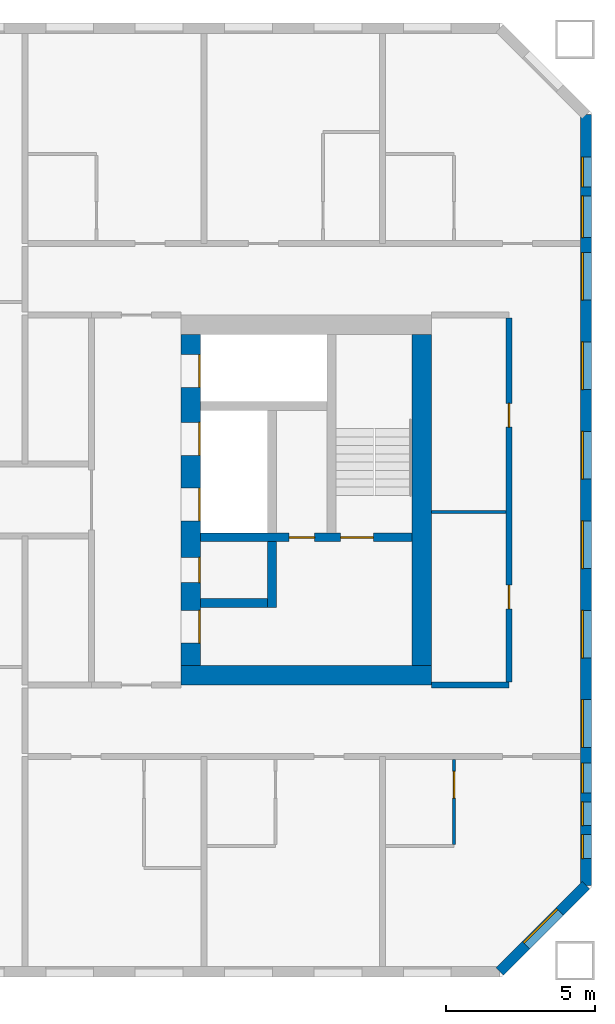
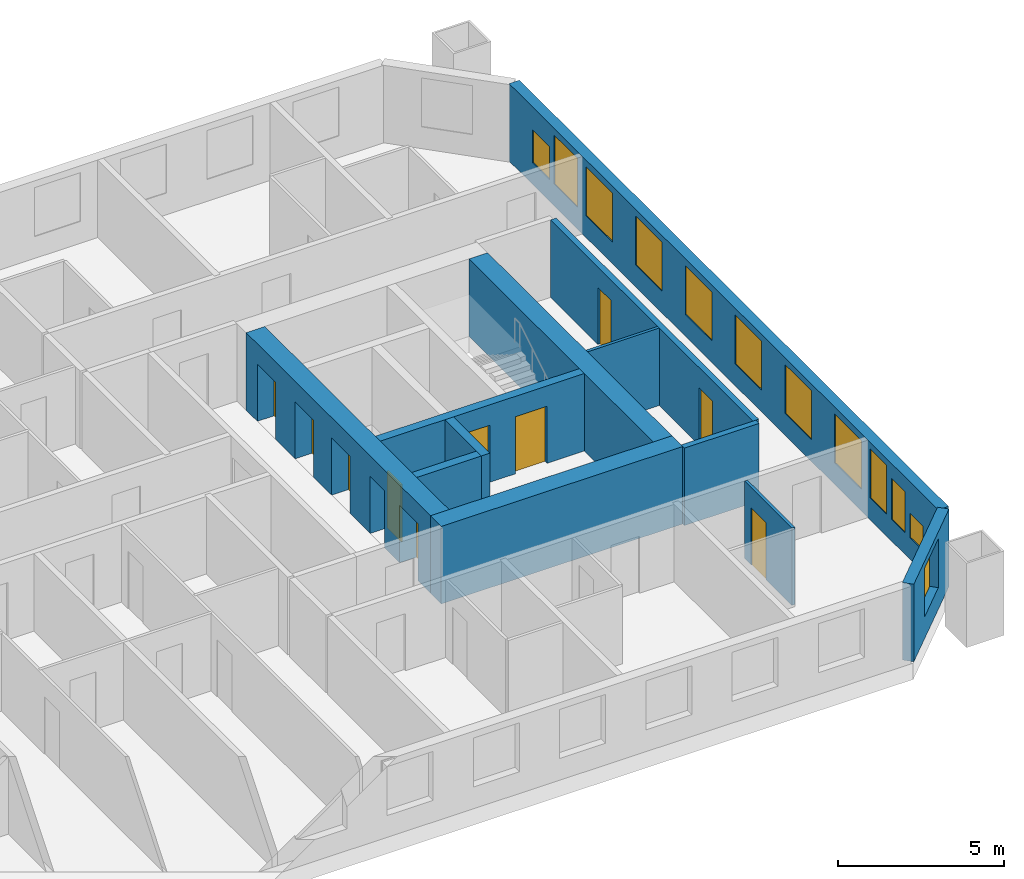
# One storey, part 13 of 16: 12 walls, 12 windows, 10 doors, 22 openings.
"""IFC4 building model written with IfcOpenShell, lengths in metres."""

from ifc_helpers import new_model, si_unit, direction, frame, frame_2d, origin, place, context, subcontext, project, spatial, rectangle, extrude, material, layer, layer_set, type_object, element, fill, save


model = new_model("IFC4")

# Units and contexts
model_context = context("Model", 3, precision=1e-05, world=origin(), true_north=direction((0.0, 1.0)))
body_context = subcontext(model_context, "Body", "Model", "MODEL_VIEW")
ifc_project = project(units=[si_unit("LENGTHUNIT", "METRE"), si_unit("AREAUNIT", "SQUARE_METRE"), si_unit("VOLUMEUNIT", "CUBIC_METRE"), si_unit("PLANEANGLEUNIT", "RADIAN"), si_unit("MASSUNIT", "GRAM", prefix="KILO")], contexts=[model_context])

# Site, building, storey
site_placement = place(None, origin())
site = spatial("IfcSite", under=ifc_project, at=site_placement, CompositionType="ELEMENT")
building_placement = place(site_placement, origin())
building = spatial("IfcBuilding", under=site, at=building_placement, Name="Tuart Gate Housing", CompositionType="ELEMENT")
storey_placement = place(building_placement, frame((0.0, 0.0, 96.39990234375)))
storey = spatial("IfcBuildingStorey", under=building, at=storey_placement, Name="L26", CompositionType="ELEMENT", Elevation=96.39990234375)

# Wall, opening, window
ifc_material_1 = material(Name="Brick", Category="masonry")
ifc_layer_1 = layer(ifc_material_1, 0.360107421875)
ifc_layer_set_1 = layer_set([ifc_layer_1], Name="Brick pier and spandrel wall 360")
wall_type_1 = type_object("IfcWallType", Name="Brick pier and spandrel wall 360", PredefinedType="STANDARD", material=ifc_layer_set_1)
wall_1_placement = place(storey_placement, frame((170.92529296875, 54.179931640625, 0.0), z_axis=(0.0, 0.0, 1.0), x_axis=(0.707106781187, 0.707106781187, 0.0)))
wall_1 = element("IfcWall", 1, at=wall_1_placement, inside=storey, type_object=wall_type_1, Name="External wall B-SE L26", PredefinedType="STANDARD", context=body_context, shape_type="SweptSolid", body=[
    extrude(rectangle(XDim=4.09375, YDim=0.360107421875, at=frame_2d((2.046875, 0.0))), origin(), (0.0, 0.0, 1.0), 2.85009765625),
])
opening_1_placement = place(wall_1_placement, frame((1.2470703125, 0.0, 0.800048828125)))
opening_1 = element("IfcOpeningElement", 2, at=opening_1_placement, cuts=wall_1, Name="Opening W1", PredefinedType="OPENING", context=body_context, shape_type="SweptSolid", body=[
    extrude(rectangle(XDim=1.60009765625, YDim=1.800048828125, at=frame_2d((0.800048828125, 0.89990234375))), frame((0.0, 0.18994140625, 0.0), z_axis=(0.0, -1.0, 0.0), x_axis=(1.0, 0.0, 0.0)), (0.0, 0.0, 1.0), 0.380126953125),
])
ifc_material_2 = material(Name="Aluminium frame with clear glass", Category="aluminium")
window_type_1 = type_object("IfcWindowType", Name="Punched window 1600 x 1800", PartitioningType="SINGLE_PANEL", PredefinedType="WINDOW", material=ifc_material_2)
window_1_placement = place(opening_1_placement, origin())
window_1 = element("IfcWindow", 3, at=window_1_placement, inside=storey, type_object=window_type_1, Name="Window W1", OverallHeight=1.800048828125, OverallWidth=1.60009765625, PartitioningType="SINGLE_PANEL", PredefinedType="WINDOW", context=body_context, shape_type="SweptSolid", body=[
    extrude(rectangle(XDim=1.60009765625, YDim=1.800048828125, at=frame_2d((0.800048828125, 0.89990234375))), frame((0.0, 0.150146484375, 0.0), z_axis=(0.0, -1.0, 0.0), x_axis=(1.0, 0.0, 0.0)), (0.0, 0.0, 1.0), 0.06005859375),
])
fill(opening_1, window_1)

# Wall, openings, windows
wall_2_placement = place(storey_placement, frame((173.820068359375, 57.07470703125, 0.0), z_axis=(0.0, 0.0, 1.0), x_axis=(0.0, 1.0, 0.0)))
wall_2 = element("IfcWall", 4, at=wall_2_placement, inside=storey, type_object=wall_type_1, Name="External wall B-E L26", PredefinedType="STANDARD", context=body_context, shape_type="SweptSolid", body=[
    extrude(rectangle(XDim=25.850830078125, YDim=0.360107421875, at=frame_2d((12.92529296875, 0.0))), origin(), (0.0, 0.0, 1.0), 2.85009765625),
])
opening_2_placement = place(wall_2_placement, frame((0.89990234375, 0.0, 0.800048828125)))
opening_2 = element("IfcOpeningElement", 5, at=opening_2_placement, cuts=wall_2, Name="Opening W1V", PredefinedType="OPENING", context=body_context, shape_type="SweptSolid", body=[
    extrude(rectangle(XDim=0.800048828125, YDim=0.89990234375, at=frame_2d((0.39990234375, 0.449951171875))), frame((0.0, 0.18994140625, 0.0), z_axis=(0.0, -1.0, 0.0), x_axis=(1.0, 0.0, 0.0)), (0.0, 0.0, 1.0), 0.380126953125),
])
opening_3_placement = place(wall_2_placement, frame((4.62548828125, 0.0, 0.800048828125)))
opening_3 = element("IfcOpeningElement", 6, at=opening_3_placement, cuts=wall_2, Name="Opening W1", PredefinedType="OPENING", context=body_context, shape_type="SweptSolid", body=[
    extrude(rectangle(XDim=1.60009765625, YDim=1.800048828125, at=frame_2d((0.800048828125, 0.89990234375))), frame((0.0, 0.18994140625, 0.0), z_axis=(0.0, -1.0, 0.0), x_axis=(1.0, 0.0, 0.0)), (0.0, 0.0, 1.0), 0.380126953125),
])
opening_4_placement = place(wall_2_placement, frame((7.62548828125, 0.0, 0.800048828125)))
opening_4 = element("IfcOpeningElement", 7, at=opening_4_placement, cuts=wall_2, Name="Opening W1", PredefinedType="OPENING", context=body_context, shape_type="SweptSolid", body=[
    extrude(rectangle(XDim=1.60009765625, YDim=1.800048828125, at=frame_2d((0.800048828125, 0.89990234375))), frame((0.0, 0.18994140625, 0.0), z_axis=(0.0, -1.0, 0.0), x_axis=(1.0, 0.0, 0.0)), (0.0, 0.0, 1.0), 0.380126953125),
])
opening_5_placement = place(wall_2_placement, frame((10.62548828125, 0.0, 0.800048828125)))
opening_5 = element("IfcOpeningElement", 8, at=opening_5_placement, cuts=wall_2, Name="Opening W1", PredefinedType="OPENING", context=body_context, shape_type="SweptSolid", body=[
    extrude(rectangle(XDim=1.60009765625, YDim=1.800048828125, at=frame_2d((0.800048828125, 0.89990234375))), frame((0.0, 0.18994140625, 0.0), z_axis=(0.0, -1.0, 0.0), x_axis=(1.0, 0.0, 0.0)), (0.0, 0.0, 1.0), 0.380126953125),
])
opening_6_placement = place(wall_2_placement, frame((13.62548828125, 0.0, 0.800048828125)))
opening_6 = element("IfcOpeningElement", 9, at=opening_6_placement, cuts=wall_2, Name="Opening W1", PredefinedType="OPENING", context=body_context, shape_type="SweptSolid", body=[
    extrude(rectangle(XDim=1.60009765625, YDim=1.800048828125, at=frame_2d((0.800048828125, 0.89990234375))), frame((0.0, 0.18994140625, 0.0), z_axis=(0.0, -1.0, 0.0), x_axis=(1.0, 0.0, 0.0)), (0.0, 0.0, 1.0), 0.380126953125),
])
opening_7_placement = place(wall_2_placement, frame((16.62548828125, 0.0, 0.800048828125)))
opening_7 = element("IfcOpeningElement", 10, at=opening_7_placement, cuts=wall_2, Name="Opening W1", PredefinedType="OPENING", context=body_context, shape_type="SweptSolid", body=[
    extrude(rectangle(XDim=1.60009765625, YDim=1.800048828125, at=frame_2d((0.800048828125, 0.89990234375))), frame((0.0, 0.18994140625, 0.0), z_axis=(0.0, -1.0, 0.0), x_axis=(1.0, 0.0, 0.0)), (0.0, 0.0, 1.0), 0.380126953125),
])
opening_8_placement = place(wall_2_placement, frame((19.62548828125, 0.0, 0.800048828125)))
opening_8 = element("IfcOpeningElement", 11, at=opening_8_placement, cuts=wall_2, Name="Opening W1", PredefinedType="OPENING", context=body_context, shape_type="SweptSolid", body=[
    extrude(rectangle(XDim=1.60009765625, YDim=1.800048828125, at=frame_2d((0.800048828125, 0.89990234375))), frame((0.0, 0.18994140625, 0.0), z_axis=(0.0, -1.0, 0.0), x_axis=(1.0, 0.0, 0.0)), (0.0, 0.0, 1.0), 0.380126953125),
])
opening_9_placement = place(wall_2_placement, frame((21.725341796875, 0.0, 0.800048828125)))
opening_9 = element("IfcOpeningElement", 12, at=opening_9_placement, cuts=wall_2, Name="Opening W1A", PredefinedType="OPENING", context=body_context, shape_type="SweptSolid", body=[
    extrude(rectangle(XDim=1.39990234375, YDim=1.800048828125, at=frame_2d((0.699951171875, 0.89990234375))), frame((0.0, 0.18994140625, 0.0), z_axis=(0.0, -1.0, 0.0), x_axis=(1.0, 0.0, 0.0)), (0.0, 0.0, 1.0), 0.380126953125),
])
opening_10_placement = place(wall_2_placement, frame((2.0, 0.0, 0.800048828125)))
opening_10 = element("IfcOpeningElement", 13, at=opening_10_placement, cuts=wall_2, Name="Opening W1J", PredefinedType="OPENING", context=body_context, shape_type="SweptSolid", body=[
    extrude(rectangle(XDim=0.800048828125, YDim=1.5, at=frame_2d((0.39990234375, 0.75))), frame((0.0, 0.18994140625, 0.0), z_axis=(0.0, -1.0, 0.0), x_axis=(1.0, 0.0, 0.0)), (0.0, 0.0, 1.0), 0.380126953125),
])
opening_11_placement = place(wall_2_placement, frame((3.10009765625, 0.0, 0.800048828125)))
opening_11 = element("IfcOpeningElement", 14, at=opening_11_placement, cuts=wall_2, Name="Opening W1C", PredefinedType="OPENING", context=body_context, shape_type="SweptSolid", body=[
    extrude(rectangle(XDim=1.0, YDim=1.800048828125, at=frame_2d((0.5, 0.89990234375))), frame((0.0, 0.18994140625, 0.0), z_axis=(0.0, -1.0, 0.0), x_axis=(1.0, 0.0, 0.0)), (0.0, 0.0, 1.0), 0.380126953125),
])
opening_12_placement = place(wall_2_placement, frame((23.42529296875, 0.0, 0.800048828125)))
opening_12 = element("IfcOpeningElement", 15, at=opening_12_placement, cuts=wall_2, Name="Opening W1O", PredefinedType="OPENING", context=body_context, shape_type="SweptSolid", body=[
    extrude(rectangle(XDim=1.0, YDim=1.199951171875, at=frame_2d((0.5, 0.60009765625))), frame((0.0, 0.18994140625, 0.0), z_axis=(0.0, -1.0, 0.0), x_axis=(1.0, 0.0, 0.0)), (0.0, 0.0, 1.0), 0.380126953125),
])
ifc_material_3 = material(Name="Aluminium frame with clear glass", Category="aluminium")
window_type_2 = type_object("IfcWindowType", Name="Punched window 1000 x 1200", PartitioningType="SINGLE_PANEL", PredefinedType="WINDOW", material=ifc_material_3)
window_2_placement = place(opening_12_placement, origin())
window_2 = element("IfcWindow", 16, at=window_2_placement, inside=storey, type_object=window_type_2, Name="Window W1O", OverallHeight=1.199951171875, OverallWidth=1.0, PartitioningType="SINGLE_PANEL", PredefinedType="WINDOW", context=body_context, shape_type="SweptSolid", body=[
    extrude(rectangle(XDim=1.0, YDim=1.199951171875, at=frame_2d((0.5, 0.60009765625))), frame((0.0, 0.150146484375, 0.0), z_axis=(0.0, -1.0, 0.0), x_axis=(1.0, 0.0, 0.0)), (0.0, 0.0, 1.0), 0.06005859375),
])
fill(opening_12, window_2)
ifc_material_4 = material(Name="Aluminium frame with clear glass", Category="aluminium")
window_type_3 = type_object("IfcWindowType", Name="Punched window 1000 x 1800", PartitioningType="SINGLE_PANEL", PredefinedType="WINDOW", material=ifc_material_4)
window_3_placement = place(opening_11_placement, origin())
window_3 = element("IfcWindow", 17, at=window_3_placement, inside=storey, type_object=window_type_3, Name="Window W1C", OverallHeight=1.800048828125, OverallWidth=1.0, PartitioningType="SINGLE_PANEL", PredefinedType="WINDOW", context=body_context, shape_type="SweptSolid", body=[
    extrude(rectangle(XDim=1.0, YDim=1.800048828125, at=frame_2d((0.5, 0.89990234375))), frame((0.0, 0.150146484375, 0.0), z_axis=(0.0, -1.0, 0.0), x_axis=(1.0, 0.0, 0.0)), (0.0, 0.0, 1.0), 0.06005859375),
])
fill(opening_11, window_3)
ifc_material_5 = material(Name="Aluminium frame with clear glass", Category="aluminium")
window_type_4 = type_object("IfcWindowType", Name="Punched window 1400 x 1800", PartitioningType="SINGLE_PANEL", PredefinedType="WINDOW", material=ifc_material_5)
window_4_placement = place(opening_9_placement, origin())
window_4 = element("IfcWindow", 18, at=window_4_placement, inside=storey, type_object=window_type_4, Name="Window W1A", OverallHeight=1.800048828125, OverallWidth=1.39990234375, PartitioningType="SINGLE_PANEL", PredefinedType="WINDOW", context=body_context, shape_type="SweptSolid", body=[
    extrude(rectangle(XDim=1.39990234375, YDim=1.800048828125, at=frame_2d((0.699951171875, 0.89990234375))), frame((0.0, 0.150146484375, 0.0), z_axis=(0.0, -1.0, 0.0), x_axis=(1.0, 0.0, 0.0)), (0.0, 0.0, 1.0), 0.06005859375),
])
fill(opening_9, window_4)
window_5_placement = place(opening_3_placement, origin())
window_5 = element("IfcWindow", 19, at=window_5_placement, inside=storey, type_object=window_type_1, Name="Window W1", OverallHeight=1.800048828125, OverallWidth=1.60009765625, PartitioningType="SINGLE_PANEL", PredefinedType="WINDOW", context=body_context, shape_type="SweptSolid", body=[
    extrude(rectangle(XDim=1.60009765625, YDim=1.800048828125, at=frame_2d((0.800048828125, 0.89990234375))), frame((0.0, 0.150146484375, 0.0), z_axis=(0.0, -1.0, 0.0), x_axis=(1.0, 0.0, 0.0)), (0.0, 0.0, 1.0), 0.06005859375),
])
fill(opening_3, window_5)
window_6_placement = place(opening_4_placement, origin())
window_6 = element("IfcWindow", 20, at=window_6_placement, inside=storey, type_object=window_type_1, Name="Window W1", OverallHeight=1.800048828125, OverallWidth=1.60009765625, PartitioningType="SINGLE_PANEL", PredefinedType="WINDOW", context=body_context, shape_type="SweptSolid", body=[
    extrude(rectangle(XDim=1.60009765625, YDim=1.800048828125, at=frame_2d((0.800048828125, 0.89990234375))), frame((0.0, 0.150146484375, 0.0), z_axis=(0.0, -1.0, 0.0), x_axis=(1.0, 0.0, 0.0)), (0.0, 0.0, 1.0), 0.06005859375),
])
fill(opening_4, window_6)
window_7_placement = place(opening_5_placement, origin())
window_7 = element("IfcWindow", 21, at=window_7_placement, inside=storey, type_object=window_type_1, Name="Window W1", OverallHeight=1.800048828125, OverallWidth=1.60009765625, PartitioningType="SINGLE_PANEL", PredefinedType="WINDOW", context=body_context, shape_type="SweptSolid", body=[
    extrude(rectangle(XDim=1.60009765625, YDim=1.800048828125, at=frame_2d((0.800048828125, 0.89990234375))), frame((0.0, 0.150146484375, 0.0), z_axis=(0.0, -1.0, 0.0), x_axis=(1.0, 0.0, 0.0)), (0.0, 0.0, 1.0), 0.06005859375),
])
fill(opening_5, window_7)
window_8_placement = place(opening_6_placement, origin())
window_8 = element("IfcWindow", 22, at=window_8_placement, inside=storey, type_object=window_type_1, Name="Window W1", OverallHeight=1.800048828125, OverallWidth=1.60009765625, PartitioningType="SINGLE_PANEL", PredefinedType="WINDOW", context=body_context, shape_type="SweptSolid", body=[
    extrude(rectangle(XDim=1.60009765625, YDim=1.800048828125, at=frame_2d((0.800048828125, 0.89990234375))), frame((0.0, 0.150146484375, 0.0), z_axis=(0.0, -1.0, 0.0), x_axis=(1.0, 0.0, 0.0)), (0.0, 0.0, 1.0), 0.06005859375),
])
fill(opening_6, window_8)
window_9_placement = place(opening_7_placement, origin())
window_9 = element("IfcWindow", 23, at=window_9_placement, inside=storey, type_object=window_type_1, Name="Window W1", OverallHeight=1.800048828125, OverallWidth=1.60009765625, PartitioningType="SINGLE_PANEL", PredefinedType="WINDOW", context=body_context, shape_type="SweptSolid", body=[
    extrude(rectangle(XDim=1.60009765625, YDim=1.800048828125, at=frame_2d((0.800048828125, 0.89990234375))), frame((0.0, 0.150146484375, 0.0), z_axis=(0.0, -1.0, 0.0), x_axis=(1.0, 0.0, 0.0)), (0.0, 0.0, 1.0), 0.06005859375),
])
fill(opening_7, window_9)
window_10_placement = place(opening_8_placement, origin())
window_10 = element("IfcWindow", 24, at=window_10_placement, inside=storey, type_object=window_type_1, Name="Window W1", OverallHeight=1.800048828125, OverallWidth=1.60009765625, PartitioningType="SINGLE_PANEL", PredefinedType="WINDOW", context=body_context, shape_type="SweptSolid", body=[
    extrude(rectangle(XDim=1.60009765625, YDim=1.800048828125, at=frame_2d((0.800048828125, 0.89990234375))), frame((0.0, 0.150146484375, 0.0), z_axis=(0.0, -1.0, 0.0), x_axis=(1.0, 0.0, 0.0)), (0.0, 0.0, 1.0), 0.06005859375),
])
fill(opening_8, window_10)
ifc_material_6 = material(Name="Aluminium frame with clear glass", Category="aluminium")
window_type_5 = type_object("IfcWindowType", Name="Punched window 800 x 1500", PartitioningType="SINGLE_PANEL", PredefinedType="WINDOW", material=ifc_material_6)
window_11_placement = place(opening_10_placement, origin())
window_11 = element("IfcWindow", 25, at=window_11_placement, inside=storey, type_object=window_type_5, Name="Window W1J", OverallHeight=1.5, OverallWidth=0.800048828125, PartitioningType="SINGLE_PANEL", PredefinedType="WINDOW", context=body_context, shape_type="SweptSolid", body=[
    extrude(rectangle(XDim=0.800048828125, YDim=1.5, at=frame_2d((0.39990234375, 0.75))), frame((0.0, 0.150146484375, 0.0), z_axis=(0.0, -1.0, 0.0), x_axis=(1.0, 0.0, 0.0)), (0.0, 0.0, 1.0), 0.06005859375),
])
fill(opening_10, window_11)
ifc_material_7 = material(Name="Aluminium frame with clear glass", Category="aluminium")
window_type_6 = type_object("IfcWindowType", Name="Punched window 800 x 900", PartitioningType="SINGLE_PANEL", PredefinedType="WINDOW", material=ifc_material_7)
window_12_placement = place(opening_2_placement, origin())
window_12 = element("IfcWindow", 26, at=window_12_placement, inside=storey, type_object=window_type_6, Name="Window W1V", OverallHeight=0.89990234375, OverallWidth=0.800048828125, PartitioningType="SINGLE_PANEL", PredefinedType="WINDOW", context=body_context, shape_type="SweptSolid", body=[
    extrude(rectangle(XDim=0.800048828125, YDim=0.89990234375, at=frame_2d((0.39990234375, 0.449951171875))), frame((0.0, 0.150146484375, 0.0), z_axis=(0.0, -1.0, 0.0), x_axis=(1.0, 0.0, 0.0)), (0.0, 0.0, 1.0), 0.06005859375),
])
fill(opening_2, window_12)

# Wall, openings, doors
ifc_material_8 = material(Name="Concrete C50", Category="concrete")
ifc_layer_2 = layer(ifc_material_8, 0.300048828125)
ifc_layer_set_2 = layer_set([ifc_layer_2], Name="Core wall 300 C50")
wall_type_2 = type_object("IfcWallType", Name="Core wall 300 C50", PredefinedType="SHEAR", material=ifc_layer_set_2)
wall_3_placement = place(storey_placement, frame((160.889892578125, 68.75, 0.0), z_axis=(0.0, 0.0, 1.0), x_axis=(1.0, 0.0, 0.0)))
wall_3 = element("IfcWall", 27, at=wall_3_placement, inside=storey, type_object=wall_type_2, Name="Core wall BK.2", PredefinedType="SHEAR", context=body_context, shape_type="SweptSolid", body=[
    extrude(rectangle(XDim=7.10009765625, YDim=0.300048828125, at=frame_2d((3.550048828125, 0.0))), origin(), (0.0, 0.0, 1.0), 2.85009765625),
])
opening_13_placement = place(wall_3_placement, frame((4.699951171875, 0.0, 0.0)))
opening_13 = element("IfcOpeningElement", 28, at=opening_13_placement, cuts=wall_3, Name="Opening D1159", PredefinedType="OPENING", context=body_context, shape_type="SweptSolid", body=[
    extrude(rectangle(XDim=1.10009765625, YDim=2.10009765625, at=frame_2d((0.550048828125, 1.050048828125))), frame((0.0, 0.159912109375, 0.0), z_axis=(0.0, -1.0, 0.0), x_axis=(1.0, 0.0, 0.0)), (0.0, 0.0, 1.0), 0.320068359375),
])
opening_14_placement = place(wall_3_placement, frame((2.97509765625, 0.0, 0.0)))
opening_14 = element("IfcOpeningElement", 29, at=opening_14_placement, cuts=wall_3, Name="Opening D1158", PredefinedType="OPENING", context=body_context, shape_type="SweptSolid", body=[
    extrude(rectangle(XDim=0.85009765625, YDim=2.10009765625, at=frame_2d((0.425048828125, 1.050048828125))), frame((0.0, 0.159912109375, 0.0), z_axis=(0.0, -1.0, 0.0), x_axis=(1.0, 0.0, 0.0)), (0.0, 0.0, 1.0), 0.320068359375),
])
ifc_material_9 = material(Name="Steel fire door", Category="steel")
door_type_1 = type_object("IfcDoorType", Name="Riser door 850 x 2100", OperationType="SINGLE_SWING_LEFT", PredefinedType="DOOR", material=ifc_material_9)
door_1_placement = place(opening_14_placement, origin())
door_1 = element("IfcDoor", 30, at=door_1_placement, inside=storey, type_object=door_type_1, Name="Service room door BK.W1", OperationType="SINGLE_SWING_LEFT", OverallHeight=2.10009765625, OverallWidth=0.85009765625, PredefinedType="DOOR", context=body_context, shape_type="SweptSolid", body=[
    extrude(rectangle(XDim=0.85009765625, YDim=2.10009765625, at=frame_2d((0.425048828125, 1.050048828125))), frame((0.0, 0.02490234375, 0.0), z_axis=(0.0, -1.0, 0.0), x_axis=(1.0, 0.0, 0.0)), (0.0, 0.0, 1.0), 0.050048828125),
])
fill(opening_14, door_1)
ifc_material_10 = material(Name="Steel fire door", Category="steel")
door_type_2 = type_object("IfcDoorType", Name="Stair door 1100 x 2100", OperationType="SINGLE_SWING_LEFT", PredefinedType="DOOR", material=ifc_material_10)
door_2_placement = place(opening_13_placement, origin())
door_2 = element("IfcDoor", 31, at=door_2_placement, inside=storey, type_object=door_type_2, Name="Stair door BK.SD", OperationType="SINGLE_SWING_LEFT", OverallHeight=2.10009765625, OverallWidth=1.10009765625, PredefinedType="DOOR", context=body_context, shape_type="SweptSolid", body=[
    extrude(rectangle(XDim=1.10009765625, YDim=2.10009765625, at=frame_2d((0.550048828125, 1.050048828125))), frame((0.0, 0.02490234375, 0.0), z_axis=(0.0, -1.0, 0.0), x_axis=(1.0, 0.0, 0.0)), (0.0, 0.0, 1.0), 0.050048828125),
])
fill(opening_13, door_2)

# Walls
wall_4_placement = place(storey_placement, frame((160.889892578125, 66.550048828125, 0.0), z_axis=(0.0, 0.0, 1.0), x_axis=(1.0, 0.0, 0.0)))
element("IfcWall", 32, at=wall_4_placement, inside=storey, type_object=wall_type_2, Name="Core wall BK.3", PredefinedType="SHEAR", context=body_context, shape_type="SweptSolid", body=[
    extrude(rectangle(XDim=2.25, YDim=0.300048828125, at=frame_2d((1.125, 0.0))), origin(), (0.0, 0.0, 1.0), 2.85009765625),
])
wall_5_placement = place(storey_placement, frame((163.2900390625, 68.60009765625, 0.0), z_axis=(0.0, 0.0, 1.0), x_axis=(0.0, -1.0, 0.0)))
element("IfcWall", 33, at=wall_5_placement, inside=storey, type_object=wall_type_2, Name="Core wall BK.5", PredefinedType="SHEAR", context=body_context, shape_type="SweptSolid", body=[
    extrude(rectangle(XDim=2.2001953125, YDim=0.300048828125, at=frame_2d((1.10009765625, 0.0))), origin(), (0.0, 0.0, 1.0), 2.85009765625),
])

# Wall, openings, doors
ifc_material_11 = material(Name="Concrete C50", Category="concrete")
ifc_layer_3 = layer(ifc_material_11, 0.64990234375)
ifc_layer_set_3 = layer_set([ifc_layer_3], Name="Core wall 650 C50")
wall_type_3 = type_object("IfcWallType", Name="Core wall 650 C50", PredefinedType="SHEAR", material=ifc_layer_set_3)
wall_6_placement = place(storey_placement, frame((160.56494140625, 75.550048828125, 0.0), z_axis=(0.0, 0.0, 1.0), x_axis=(0.0, -1.0, 0.0)))
wall_6 = element("IfcWall", 34, at=wall_6_placement, inside=storey, type_object=wall_type_3, Name="Core wall BK front", PredefinedType="SHEAR", context=body_context, shape_type="SweptSolid", body=[
    extrude(rectangle(XDim=11.10009765625, YDim=0.64990234375, at=frame_2d((5.550048828125, 0.0))), origin(), (0.0, 0.0, 1.0), 2.85009765625),
])
opening_15_placement = place(wall_6_placement, frame((0.675048828125, 0.0, 0.0)))
opening_15 = element("IfcOpeningElement", 35, at=opening_15_placement, cuts=wall_6, Name="Opening LD-FB2", PredefinedType="OPENING", context=body_context, shape_type="SweptSolid", body=[
    extrude(rectangle(XDim=1.10009765625, YDim=2.10009765625, at=frame_2d((0.550048828125, 1.050048828125))), frame((0.0, 0.3349609375, 0.0), z_axis=(0.0, -1.0, 0.0), x_axis=(1.0, 0.0, 0.0)), (0.0, 0.0, 1.0), 0.669921875),
])
opening_16_placement = place(wall_6_placement, frame((2.949951171875, 0.0, 0.0)))
opening_16 = element("IfcOpeningElement", 36, at=opening_16_placement, cuts=wall_6, Name="Opening LD-LB3", PredefinedType="OPENING", context=body_context, shape_type="SweptSolid", body=[
    extrude(rectangle(XDim=1.10009765625, YDim=2.10009765625, at=frame_2d((0.550048828125, 1.050048828125))), frame((0.0, 0.3349609375, 0.0), z_axis=(0.0, -1.0, 0.0), x_axis=(1.0, 0.0, 0.0)), (0.0, 0.0, 1.0), 0.669921875),
])
opening_17_placement = place(wall_6_placement, frame((5.14990234375, 0.0, 0.0)))
opening_17 = element("IfcOpeningElement", 37, at=opening_17_placement, cuts=wall_6, Name="Opening LD-LB4", PredefinedType="OPENING", context=body_context, shape_type="SweptSolid", body=[
    extrude(rectangle(XDim=1.10009765625, YDim=2.10009765625, at=frame_2d((0.550048828125, 1.050048828125))), frame((0.0, 0.3349609375, 0.0), z_axis=(0.0, -1.0, 0.0), x_axis=(1.0, 0.0, 0.0)), (0.0, 0.0, 1.0), 0.669921875),
])
opening_18_placement = place(wall_6_placement, frame((9.25, 0.0, 0.0)))
opening_18 = element("IfcOpeningElement", 38, at=opening_18_placement, cuts=wall_6, Name="Opening D1151", PredefinedType="OPENING", context=body_context, shape_type="SweptSolid", body=[
    extrude(rectangle(XDim=1.10009765625, YDim=2.10009765625, at=frame_2d((0.550048828125, 1.050048828125))), frame((0.0, 0.3349609375, 0.0), z_axis=(0.0, -1.0, 0.0), x_axis=(1.0, 0.0, 0.0)), (0.0, 0.0, 1.0), 0.669921875),
])
opening_19_placement = place(wall_6_placement, frame((7.47509765625, 0.0, 0.0)))
opening_19 = element("IfcOpeningElement", 39, at=opening_19_placement, cuts=wall_6, Name="Opening D1152", PredefinedType="OPENING", context=body_context, shape_type="SweptSolid", body=[
    extrude(rectangle(XDim=0.85009765625, YDim=2.10009765625, at=frame_2d((0.425048828125, 1.050048828125))), frame((0.0, 0.3349609375, 0.0), z_axis=(0.0, -1.0, 0.0), x_axis=(1.0, 0.0, 0.0)), (0.0, 0.0, 1.0), 0.669921875),
])
ifc_material_12 = material(Name="Stainless steel", Category="steel")
door_type_3 = type_object("IfcDoorType", Name="Landing door 1100 x 2100", OperationType="DOUBLE_DOOR_SLIDING", PredefinedType="DOOR", material=ifc_material_12)
door_3_placement = place(opening_15_placement, origin())
door_3 = element("IfcDoor", 40, at=door_3_placement, inside=storey, type_object=door_type_3, Name="Lift landing door FB2", OperationType="DOUBLE_DOOR_SLIDING", OverallHeight=2.10009765625, OverallWidth=1.10009765625, PredefinedType="DOOR", context=body_context, shape_type="SweptSolid", body=[
    extrude(rectangle(XDim=1.10009765625, YDim=2.10009765625, at=frame_2d((0.550048828125, 1.050048828125))), frame((0.0, 0.31005859375, 0.0), z_axis=(0.0, -1.0, 0.0), x_axis=(1.0, 0.0, 0.0)), (0.0, 0.0, 1.0), 0.050048828125),
])
fill(opening_15, door_3)
door_4_placement = place(opening_16_placement, origin())
door_4 = element("IfcDoor", 41, at=door_4_placement, inside=storey, type_object=door_type_3, Name="Lift landing door LB3", OperationType="DOUBLE_DOOR_SLIDING", OverallHeight=2.10009765625, OverallWidth=1.10009765625, PredefinedType="DOOR", context=body_context, shape_type="SweptSolid", body=[
    extrude(rectangle(XDim=1.10009765625, YDim=2.10009765625, at=frame_2d((0.550048828125, 1.050048828125))), frame((0.0, 0.31005859375, 0.0), z_axis=(0.0, -1.0, 0.0), x_axis=(1.0, 0.0, 0.0)), (0.0, 0.0, 1.0), 0.050048828125),
])
fill(opening_16, door_4)
door_5_placement = place(opening_17_placement, origin())
door_5 = element("IfcDoor", 42, at=door_5_placement, inside=storey, type_object=door_type_3, Name="Lift landing door LB4", OperationType="DOUBLE_DOOR_SLIDING", OverallHeight=2.10009765625, OverallWidth=1.10009765625, PredefinedType="DOOR", context=body_context, shape_type="SweptSolid", body=[
    extrude(rectangle(XDim=1.10009765625, YDim=2.10009765625, at=frame_2d((0.550048828125, 1.050048828125))), frame((0.0, 0.31005859375, 0.0), z_axis=(0.0, -1.0, 0.0), x_axis=(1.0, 0.0, 0.0)), (0.0, 0.0, 1.0), 0.050048828125),
])
fill(opening_17, door_5)
ifc_material_13 = material(Name="Steel fire door", Category="steel")
door_type_4 = type_object("IfcDoorType", Name="Lobby door 1100 x 2100", OperationType="SINGLE_SWING_LEFT", PredefinedType="DOOR", material=ifc_material_13)
door_6_placement = place(opening_18_placement, origin())
door_6 = element("IfcDoor", 43, at=door_6_placement, inside=storey, type_object=door_type_4, Name="Lobby entry door BK.EN", OperationType="SINGLE_SWING_LEFT", OverallHeight=2.10009765625, OverallWidth=1.10009765625, PredefinedType="DOOR", context=body_context, shape_type="SweptSolid", body=[
    extrude(rectangle(XDim=1.10009765625, YDim=2.10009765625, at=frame_2d((0.550048828125, 1.050048828125))), frame((0.0, 0.31005859375, 0.0), z_axis=(0.0, -1.0, 0.0), x_axis=(1.0, 0.0, 0.0)), (0.0, 0.0, 1.0), 0.050048828125),
])
fill(opening_18, door_6)
ifc_material_14 = material(Name="Steel fire door", Category="steel")
door_type_5 = type_object("IfcDoorType", Name="Service door 850 x 2100", OperationType="SINGLE_SWING_LEFT", PredefinedType="DOOR", material=ifc_material_14)
door_7_placement = place(opening_19_placement, origin())
door_7 = element("IfcDoor", 44, at=door_7_placement, inside=storey, type_object=door_type_5, Name="Service room door BK.T1", OperationType="SINGLE_SWING_LEFT", OverallHeight=2.10009765625, OverallWidth=0.85009765625, PredefinedType="DOOR", context=body_context, shape_type="SweptSolid", body=[
    extrude(rectangle(XDim=0.85009765625, YDim=2.10009765625, at=frame_2d((0.425048828125, 1.050048828125))), frame((0.0, 0.31005859375, 0.0), z_axis=(0.0, -1.0, 0.0), x_axis=(1.0, 0.0, 0.0)), (0.0, 0.0, 1.0), 0.050048828125),
])
fill(opening_19, door_7)

# Walls
wall_7_placement = place(storey_placement, frame((168.31494140625, 75.550048828125, 0.0), z_axis=(0.0, 0.0, 1.0), x_axis=(0.0, -1.0, 0.0)))
element("IfcWall", 45, at=wall_7_placement, inside=storey, type_object=wall_type_3, Name="Core wall BK back", PredefinedType="SHEAR", context=body_context, shape_type="SweptSolid", body=[
    extrude(rectangle(XDim=11.10009765625, YDim=0.64990234375, at=frame_2d((5.550048828125, 0.0))), origin(), (0.0, 0.0, 1.0), 2.85009765625),
])
wall_8_placement = place(storey_placement, frame((160.239990234375, 64.125, 0.0), z_axis=(0.0, 0.0, 1.0), x_axis=(1.0, 0.0, 0.0)))
element("IfcWall", 46, at=wall_8_placement, inside=storey, type_object=wall_type_3, Name="Core wall BK north", PredefinedType="SHEAR", context=body_context, shape_type="SweptSolid", body=[
    extrude(rectangle(XDim=8.39990234375, YDim=0.64990234375, at=frame_2d((4.199951171875, 0.0))), origin(), (0.0, 0.0, 1.0), 2.85009765625),
])
ifc_material_15 = material(Name="Concrete masonry 15 MPa", Category="masonry")
ifc_layer_4 = layer(ifc_material_15, 0.199951171875)
ifc_layer_set_4 = layer_set([ifc_layer_4], Name="Corridor wall masonry 200")
wall_type_4 = type_object("IfcWallType", Name="Corridor wall masonry 200", PredefinedType="PARTITIONING", material=ifc_layer_set_4)
wall_9_placement = place(storey_placement, frame((168.639892578125, 63.800048828125, 0.0), z_axis=(0.0, 0.0, 1.0), x_axis=(1.0, 0.0, 0.0)))
element("IfcWall", 47, at=wall_9_placement, inside=storey, type_object=wall_type_4, Name="Corridor wall masonry 200", PredefinedType="PARTITIONING", context=body_context, shape_type="SweptSolid", body=[
    extrude(rectangle(XDim=2.60009765625, YDim=0.199951171875, at=frame_2d((1.300048828125, 0.0))), origin(), (0.0, 0.0, 1.0), 2.85009765625),
])

# Wall, openings, doors
wall_10_placement = place(storey_placement, frame((171.239990234375, 63.89990234375, 0.0), z_axis=(0.0, 0.0, 1.0), x_axis=(0.0, 1.0, 0.0)))
wall_10 = element("IfcWall", 48, at=wall_10_placement, inside=storey, type_object=wall_type_4, Name="Corridor wall masonry 200", PredefinedType="PARTITIONING", context=body_context, shape_type="SweptSolid", body=[
    extrude(rectangle(XDim=12.2001953125, YDim=0.199951171875, at=frame_2d((6.10009765625, 0.0))), origin(), (0.0, 0.0, 1.0), 2.85009765625),
])
opening_20_placement = place(wall_10_placement, frame((2.445068359375, 0.0, 0.0)))
opening_20 = element("IfcOpeningElement", 49, at=opening_20_placement, cuts=wall_10, Name="Opening D1153", PredefinedType="OPENING", context=body_context, shape_type="SweptSolid", body=[
    extrude(rectangle(XDim=0.800048828125, YDim=2.10009765625, at=frame_2d((0.39990234375, 1.050048828125))), frame((0.0, 0.10986328125, 0.0), z_axis=(0.0, -1.0, 0.0), x_axis=(1.0, 0.0, 0.0)), (0.0, 0.0, 1.0), 0.219970703125),
])
opening_21_placement = place(wall_10_placement, frame((8.544921875, 0.0, 0.0)))
opening_21 = element("IfcOpeningElement", 50, at=opening_21_placement, cuts=wall_10, Name="Opening D1154", PredefinedType="OPENING", context=body_context, shape_type="SweptSolid", body=[
    extrude(rectangle(XDim=0.800048828125, YDim=2.10009765625, at=frame_2d((0.39990234375, 1.050048828125))), frame((0.0, 0.10986328125, 0.0), z_axis=(0.0, -1.0, 0.0), x_axis=(1.0, 0.0, 0.0)), (0.0, 0.0, 1.0), 0.219970703125),
])
ifc_material_16 = material(Name="Timber door leaf in steel frame", Category="steel")
door_type_6 = type_object("IfcDoorType", Name="Store door 800", OperationType="SINGLE_SWING_LEFT", PredefinedType="DOOR", material=ifc_material_16)
door_8_placement = place(opening_21_placement, origin())
door_8 = element("IfcDoor", 51, at=door_8_placement, inside=storey, type_object=door_type_6, Name="Store door", OperationType="SINGLE_SWING_LEFT", OverallHeight=2.10009765625, OverallWidth=0.800048828125, PredefinedType="DOOR", context=body_context, shape_type="SweptSolid", body=[
    extrude(rectangle(XDim=0.800048828125, YDim=2.10009765625, at=frame_2d((0.39990234375, 1.050048828125))), frame((0.0, 0.02490234375, 0.0), z_axis=(0.0, -1.0, 0.0), x_axis=(1.0, 0.0, 0.0)), (0.0, 0.0, 1.0), 0.050048828125),
])
fill(opening_21, door_8)
ifc_material_17 = material(Name="Timber door leaf in steel frame", Category="steel")
door_type_7 = type_object("IfcDoorType", Name="Store door 800 RH", OperationType="SINGLE_SWING_RIGHT", PredefinedType="DOOR", material=ifc_material_17)
door_9_placement = place(opening_20_placement, origin())
door_9 = element("IfcDoor", 52, at=door_9_placement, inside=storey, type_object=door_type_7, Name="Store door", OperationType="SINGLE_SWING_RIGHT", OverallHeight=2.10009765625, OverallWidth=0.800048828125, PredefinedType="DOOR", context=body_context, shape_type="SweptSolid", body=[
    extrude(rectangle(XDim=0.800048828125, YDim=2.10009765625, at=frame_2d((0.39990234375, 1.050048828125))), frame((0.0, 0.02490234375, 0.0), z_axis=(0.0, -1.0, 0.0), x_axis=(1.0, 0.0, 0.0)), (0.0, 0.0, 1.0), 0.050048828125),
])
fill(opening_20, door_9)

# Wall
ifc_material_18 = material(Name="Gypsum board on steel studs", Category="steel")
ifc_layer_5 = layer(ifc_material_18, 0.10009765625)
ifc_layer_set_5 = layer_set([ifc_layer_5], Name="Partition 100")
wall_type_5 = type_object("IfcWallType", Name="Partition 100", PredefinedType="PARTITIONING", material=ifc_layer_set_5)
wall_11_placement = place(storey_placement, frame((168.639892578125, 69.590087890625, 0.0), z_axis=(0.0, 0.0, 1.0), x_axis=(1.0, 0.0, 0.0)))
element("IfcWall", 53, at=wall_11_placement, inside=storey, type_object=wall_type_5, Name="Partition 100", PredefinedType="PARTITIONING", context=body_context, shape_type="SweptSolid", body=[
    extrude(rectangle(XDim=2.5, YDim=0.10009765625, at=frame_2d((1.25, 0.0))), origin(), (0.0, 0.0, 1.0), 2.85009765625),
])

# Wall, opening, door
wall_12_placement = place(storey_placement, frame((169.39990234375, 58.449951171875, 0.0), z_axis=(0.0, 0.0, 1.0), x_axis=(0.0, 1.0, 0.0)))
wall_12 = element("IfcWall", 54, at=wall_12_placement, inside=storey, type_object=wall_type_5, Name="Partition 100", PredefinedType="PARTITIONING", context=body_context, shape_type="SweptSolid", body=[
    extrude(rectangle(XDim=2.85009765625, YDim=0.10009765625, at=frame_2d((1.425048828125, 0.0))), origin(), (0.0, 0.0, 1.0), 2.85009765625),
])
opening_22_placement = place(wall_12_placement, frame((1.550048828125, 0.0, 0.0)))
opening_22 = element("IfcOpeningElement", 55, at=opening_22_placement, cuts=wall_12, Name="Opening D1174", PredefinedType="OPENING", context=body_context, shape_type="SweptSolid", body=[
    extrude(rectangle(XDim=0.89990234375, YDim=2.10009765625, at=frame_2d((0.449951171875, 1.050048828125))), frame((0.0, 0.06005859375, 0.0), z_axis=(0.0, -1.0, 0.0), x_axis=(1.0, 0.0, 0.0)), (0.0, 0.0, 1.0), 0.1201171875),
])
ifc_material_19 = material(Name="Timber door leaf in steel frame", Category="steel")
door_type_8 = type_object("IfcDoorType", Name="Bathroom door 900 RH", OperationType="SINGLE_SWING_RIGHT", PredefinedType="DOOR", material=ifc_material_19)
door_10_placement = place(opening_22_placement, origin())
door_10 = element("IfcDoor", 56, at=door_10_placement, inside=storey, type_object=door_type_8, Name="Bathroom door", OperationType="SINGLE_SWING_RIGHT", OverallHeight=2.10009765625, OverallWidth=0.89990234375, PredefinedType="DOOR", context=body_context, shape_type="SweptSolid", body=[
    extrude(rectangle(XDim=0.89990234375, YDim=2.10009765625, at=frame_2d((0.449951171875, 1.050048828125))), frame((0.0, 0.02490234375, 0.0), z_axis=(0.0, -1.0, 0.0), x_axis=(1.0, 0.0, 0.0)), (0.0, 0.0, 1.0), 0.050048828125),
])
fill(opening_22, door_10)

save(model, "model.ifc")
